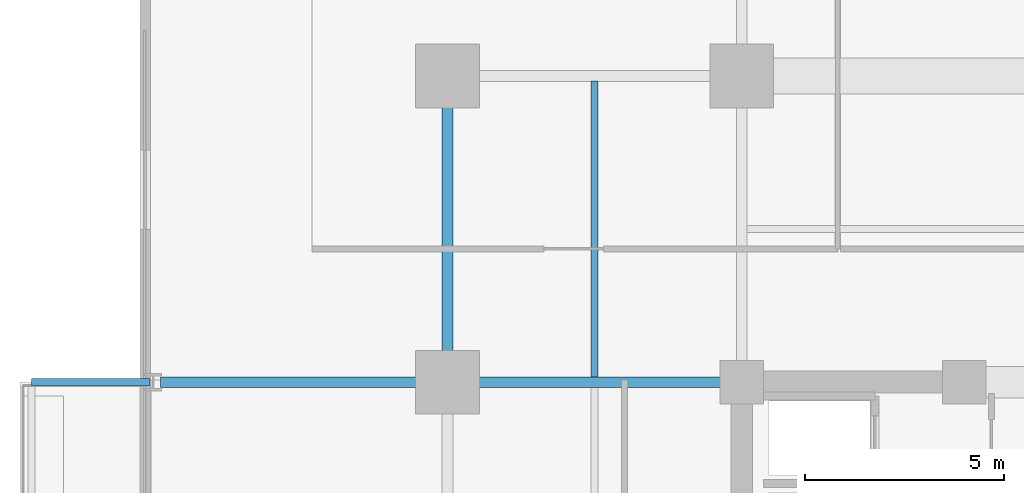
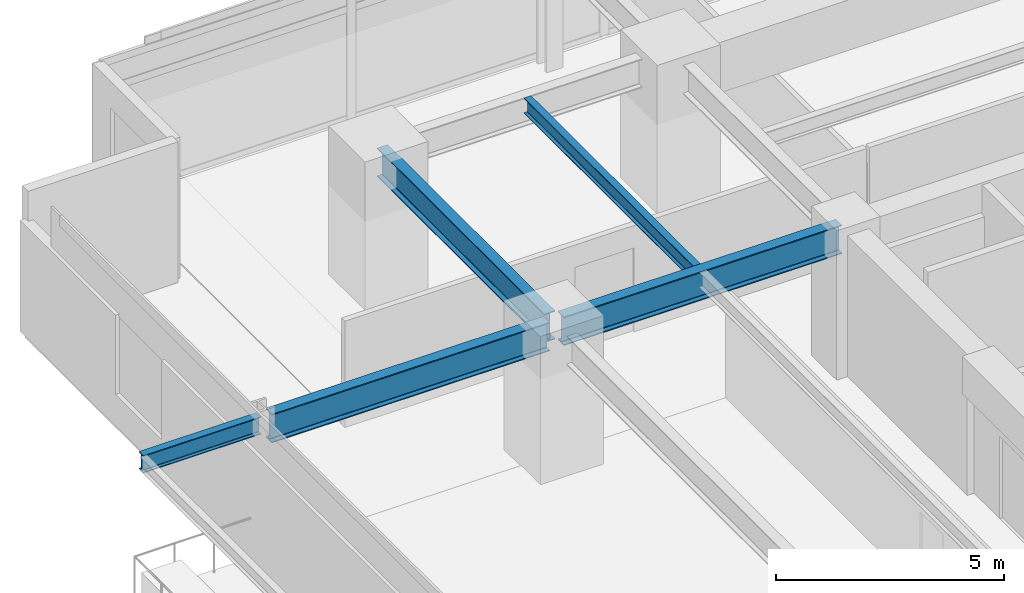
# One storey, part 5 of 23: 5 beams.
"""IFC4 building model written with IfcOpenShell, lengths in metres."""

from ifc_helpers import new_model, si_unit, direction, frame, origin, origin_2d, place, context, subcontext, project, spatial, i_section, extrude, material, material_profile, profile_set, type_object, element, save


model = new_model("IFC4")

# Units and contexts
model_context = context("Model", 3, precision=1e-05, world=origin(), true_north=direction((0.0, 1.0)))
body_context = subcontext(model_context, "Body", "Model", "MODEL_VIEW")
ifc_project = project(units=[si_unit("LENGTHUNIT", "METRE"), si_unit("AREAUNIT", "SQUARE_METRE"), si_unit("VOLUMEUNIT", "CUBIC_METRE"), si_unit("PLANEANGLEUNIT", "RADIAN"), si_unit("MASSUNIT", "GRAM", prefix="KILO")], contexts=[model_context])

# Site, building, storey
site_placement = place(None, origin())
site = spatial("IfcSite", under=ifc_project, at=site_placement, CompositionType="ELEMENT")
building_placement = place(site_placement, origin())
building = spatial("IfcBuilding", under=site, at=building_placement, Name="Kovane Verandah Tower", CompositionType="ELEMENT")
storey_placement = place(building_placement, frame((0.0, 0.0, 140.39990234375)))
storey = spatial("IfcBuildingStorey", under=building, at=storey_placement, Name="L32", CompositionType="ELEMENT", Elevation=140.39990234375)

# Beams
ifc_material = material(Name="Steel S355", Category="steel")
ifc_material_profile_1 = material_profile(ifc_material, i_section(OverallWidth=0.26806640625, OverallDepth=0.769775390625, WebThickness=0.015625, FlangeThickness=0.025390625, FilletRadius=0.0166015625, at=origin_2d()), Name="UB762x267x197")
ifc_profile_set_1 = profile_set([ifc_material_profile_1], Name="Steel S355")
beam_type_1 = type_object("IfcBeamType", Name="BM-UB762x197", PredefinedType="BEAM", material=ifc_profile_set_1)
beam_1_placement = place(storey_placement, frame((21.60009765625, 36.679931640625, 3.39013671875), z_axis=(0.0, 1.0, 0.0), x_axis=(-1.0, 0.0, 0.0)))
element("IfcBeam", 1, at=beam_1_placement, inside=storey, type_object=beam_type_1, Name="L32 Primary Tower Girder G-RW3", PredefinedType="BEAM", context=body_context, shape_type="SweptSolid", body=[
    extrude(i_section(OverallWidth=0.26806640625, OverallDepth=0.769775390625, WebThickness=0.015625, FlangeThickness=0.025390625, FilletRadius=0.0166015625, at=origin_2d()), origin(), (0.0, 0.0, 1.0), 7.340087890625),
])
for number, where, z_axis, x_axis, name in (
    (2, (28.820068359375, 36.5, 3.39013671875), (-1.0, 0.0, 0.0), (0.0, -1.0, 0.0), "L32 Primary Tower Girder G-W2"),
    (3, (21.419921875, 36.5, 3.375244140625), (-1.0, 0.0, 0.0), (0.0, -1.0, 0.0), "L32 Primary Tower Girder G-VW2"),
):
    element("IfcBeam", number, at=place(storey_placement, frame(where, z_axis=z_axis, x_axis=x_axis)), inside=storey, type_object=beam_type_1, Name=name, PredefinedType="BEAM", context=body_context, shape_type="SweptSolid", body=[
        extrude(i_section(OverallWidth=0.26806640625, OverallDepth=0.769775390625, WebThickness=0.015625, FlangeThickness=0.025390625, FilletRadius=0.0166015625, at=origin_2d()), origin(), (0.0, 0.0, 1.0), 7.0400390625),
    ])
ifc_material_profile_2 = material_profile(ifc_material, i_section(OverallWidth=0.179443359375, OverallDepth=0.412841796875, WebThickness=0.009521484375, FlangeThickness=0.01611328125, FilletRadius=0.01025390625, at=origin_2d()), Name="UB406x178x74")
ifc_profile_set_2 = profile_set([ifc_material_profile_2], Name="Steel S355")
beam_type_2 = type_object("IfcBeamType", Name="JST-UB406x74", PredefinedType="JOIST", material=ifc_profile_set_2)
beam_2_placement = place(storey_placement, frame((25.300048828125, 36.632080078125, 3.568603515625), z_axis=(0.0, 1.0, 0.0), x_axis=(-1.0, 0.0, 0.0)))
element("IfcBeam", 4, at=beam_2_placement, inside=storey, type_object=beam_type_2, Name="L32 Secondary Composite Joist J-NW1", PredefinedType="JOIST", context=body_context, shape_type="SweptSolid", body=[
    extrude(i_section(OverallWidth=0.179443359375, OverallDepth=0.412841796875, WebThickness=0.009521484375, FlangeThickness=0.01611328125, FilletRadius=0.01025390625, at=origin_2d()), origin(), (0.0, 0.0, 1.0), 7.43603515625),
])
ifc_material_profile_3 = material_profile(ifc_material, i_section(OverallWidth=0.19287109375, OverallDepth=0.46728515625, WebThickness=0.011474609375, FlangeThickness=0.01953125, FilletRadius=0.01025390625, at=origin_2d()), Name="UB457x191x98")
ifc_profile_set_3 = profile_set([ifc_material_profile_3], Name="Steel S355")
beam_type_3 = type_object("IfcBeamType", Name="JST-UB457x98", PredefinedType="JOIST", material=ifc_profile_set_3)
beam_3_placement = place(storey_placement, frame((14.1201171875, 36.5, 3.526611328125), z_axis=(-1.0, 0.0, 0.0), x_axis=(0.0, -1.0, 0.0)))
element("IfcBeam", 5, at=beam_3_placement, inside=storey, type_object=beam_type_3, Name="L32 West Planter Girder 2", PredefinedType="JOIST", context=body_context, shape_type="SweptSolid", body=[
    extrude(i_section(OverallWidth=0.19287109375, OverallDepth=0.46728515625, WebThickness=0.011474609375, FlangeThickness=0.01953125, FilletRadius=0.01025390625, at=origin_2d()), origin(), (0.0, 0.0, 1.0), 2.977294921875),
])

save(model, "model.ifc")
